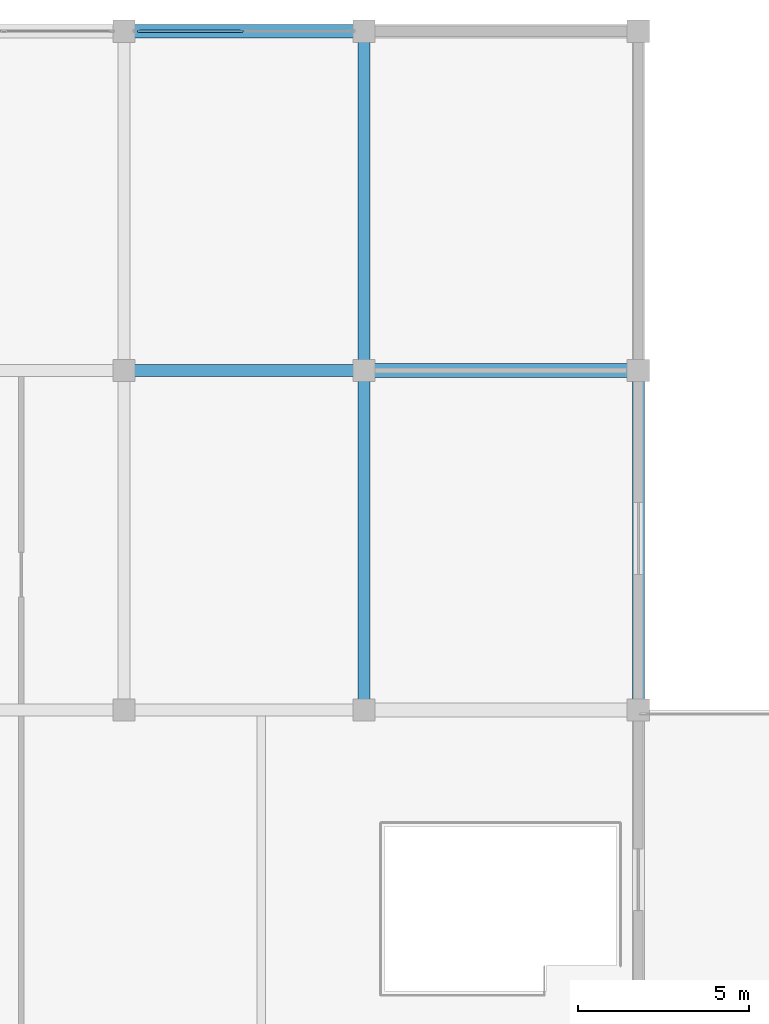
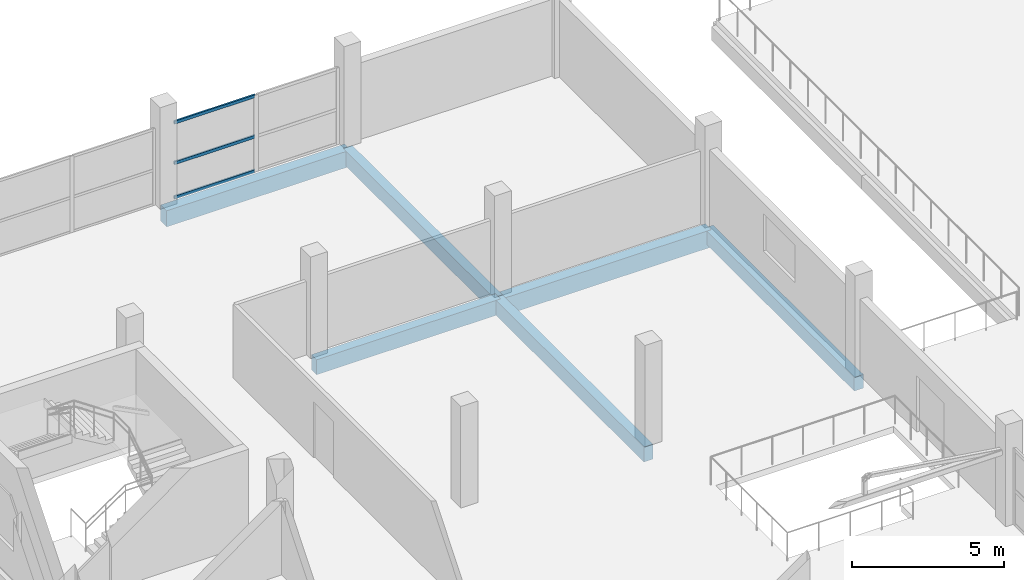
# One storey, part 38 of 53: 6 beams, 3 members, 1 element without a shape of its own.
"""IFC4 building model written with IfcOpenShell, lengths in metres."""

from ifc_helpers import new_model, si_unit, direction, frame, origin, origin_2d, place, context, subcontext, project, spatial, rectangle, hollow_rectangle, extrude, material, layer, layer_set, material_profile, profile_set, type_object, element, aggregate, save


model = new_model("IFC4")

# Units and contexts
model_context = context("Model", 3, precision=1e-05, world=origin(), true_north=direction((0.0, 1.0)))
body_context = subcontext(model_context, "Body", "Model", "MODEL_VIEW")
ifc_project = project(units=[si_unit("LENGTHUNIT", "METRE"), si_unit("AREAUNIT", "SQUARE_METRE"), si_unit("VOLUMEUNIT", "CUBIC_METRE"), si_unit("PLANEANGLEUNIT", "RADIAN"), si_unit("MASSUNIT", "GRAM", prefix="KILO")], contexts=[model_context])

# Site, building, storey
site_placement = place(None, origin())
site = spatial("IfcSite", under=ifc_project, at=site_placement, CompositionType="ELEMENT")
building_placement = place(site_placement, origin())
building = spatial("IfcBuilding", under=site, at=building_placement, Name="Sillaruma Civic Art Gallery", CompositionType="ELEMENT")
storey_placement = place(building_placement, frame((0.0, 0.0, 70.3798828125)))
storey = spatial("IfcBuildingStorey", under=building, at=storey_placement, Name="L14", CompositionType="ELEMENT", Elevation=70.3798828125)

# Beams
ifc_material_1 = material(Name="Concrete H35 (35 MPa)", Category="concrete")
ifc_material_profile_1 = material_profile(ifc_material_1, rectangle(XDim=0.35009765625, YDim=0.60009765625, at=origin_2d()), Name="RCB350x600")
ifc_profile_set_1 = profile_set([ifc_material_profile_1], Name="Concrete H35 (35 MPa)")
beam_type_1 = type_object("IfcBeamType", Name="BM-BEAM-RCB350x600", PredefinedType="BEAM", material=ifc_profile_set_1)
beam_1_placement = place(storey_placement, frame((77.0, 89.10009765625, -0.5498046875), z_axis=(1.0, 0.0, 0.0), x_axis=(0.0, 1.0, 0.0)))
element("IfcBeam", 1, at=beam_1_placement, inside=storey, type_object=beam_type_1, Name="Beam BM-06 (L13:10:H-J)", PredefinedType="BEAM", context=body_context, shape_type="SweptSolid", body=[
    extrude(rectangle(XDim=0.35009765625, YDim=0.60009765625, at=origin_2d()), origin(), (0.0, 0.0, 1.0), 7.0),
])
beam_2_placement = place(storey_placement, frame((84.0, 79.199951171875, -0.5498046875), z_axis=(0.0, 1.0, 0.0), x_axis=(-1.0, 0.0, 0.0)))
element("IfcBeam", 2, at=beam_2_placement, inside=storey, type_object=beam_type_1, Name="Beam BM-06 (L13:J:9-10)", PredefinedType="BEAM", context=body_context, shape_type="SweptSolid", body=[
    extrude(rectangle(XDim=0.35009765625, YDim=0.60009765625, at=origin_2d()), origin(), (0.0, 0.0, 1.0), 9.900146484375),
])
beam_3_placement = place(storey_placement, frame((84.0, 89.10009765625, -0.5498046875), z_axis=(0.0, 1.0, 0.0), x_axis=(-1.0, 0.0, 0.0)))
element("IfcBeam", 3, at=beam_3_placement, inside=storey, type_object=beam_type_1, Name="Beam BM-06 (L13:J:10-11)", PredefinedType="BEAM", context=body_context, shape_type="SweptSolid", body=[
    extrude(rectangle(XDim=0.35009765625, YDim=0.60009765625, at=origin_2d()), origin(), (0.0, 0.0, 1.0), 9.89990234375),
])
ifc_material_profile_2 = material_profile(ifc_material_1, rectangle(XDim=0.39990234375, YDim=0.699951171875, at=origin_2d()), Name="RCB400x700")
ifc_profile_set_2 = profile_set([ifc_material_profile_2], Name="Concrete H35 (35 MPa)")
beam_type_2 = type_object("IfcBeamType", Name="BM-BEAM-RCB400x700", PredefinedType="BEAM", material=ifc_profile_set_2)
beam_4_placement = place(storey_placement, frame((84.0, 89.10009765625, -0.599853515625), z_axis=(1.0, 0.0, 0.0), x_axis=(0.0, 1.0, 0.0)))
element("IfcBeam", 4, at=beam_4_placement, inside=storey, type_object=beam_type_2, Name="Beam BM-04 (L13:10:J-K)", PredefinedType="BEAM", context=body_context, shape_type="SweptSolid", body=[
    extrude(rectangle(XDim=0.39990234375, YDim=0.699951171875, at=origin_2d()), origin(), (0.0, 0.0, 1.0), 8.0),
])
ifc_material_profile_3 = material_profile(ifc_material_1, rectangle(XDim=0.35009765625, YDim=0.550048828125, at=origin_2d()), Name="RCB350x550")
ifc_profile_set_3 = profile_set([ifc_material_profile_3], Name="Concrete H35 (35 MPa)")
beam_type_3 = type_object("IfcBeamType", Name="BM-SPANDREL-RCB350x550", PredefinedType="SPANDREL", material=ifc_profile_set_3)
beam_5_placement = place(storey_placement, frame((92.0, 79.199951171875, -0.52490234375), z_axis=(0.0, 1.0, 0.0), x_axis=(-1.0, 0.0, 0.0)))
element("IfcBeam", 5, at=beam_5_placement, inside=storey, type_object=beam_type_3, Name="Beam BS-04 (L13:K:9-10)", PredefinedType="SPANDREL", context=body_context, shape_type="SweptSolid", body=[
    extrude(rectangle(XDim=0.35009765625, YDim=0.550048828125, at=origin_2d()), origin(), (0.0, 0.0, 1.0), 9.900146484375),
])
ifc_material_profile_4 = material_profile(ifc_material_1, rectangle(XDim=0.39990234375, YDim=0.64990234375, at=origin_2d()), Name="RCB400x650")
ifc_profile_set_4 = profile_set([ifc_material_profile_4], Name="Concrete H35 (35 MPa)")
beam_type_4 = type_object("IfcBeamType", Name="BM-SPANDREL-RCB400x650", PredefinedType="SPANDREL", material=ifc_profile_set_4)
beam_6_placement = place(storey_placement, frame((77.0, 99.0, -0.574951171875), z_axis=(1.0, 0.0, 0.0), x_axis=(0.0, 1.0, 0.0)))
element("IfcBeam", 6, at=beam_6_placement, inside=storey, type_object=beam_type_4, Name="Beam BS-02 (L13:11:H-J)", PredefinedType="SPANDREL", context=body_context, shape_type="SweptSolid", body=[
    extrude(rectangle(XDim=0.39990234375, YDim=0.64990234375, at=origin_2d()), origin(), (0.0, 0.0, 1.0), 7.0),
])

# Curtain wall, members
ifc_material_2 = material(Name="Thermally Broken Extruded Aluminium 6063-T6", Category="aluminium")
ifc_layer = layer(ifc_material_2, 0.179931640625, Name="Thermally Broken Extruded Aluminium 6063-T6")
ifc_layer_set = layer_set([ifc_layer], Name="Thermally Broken Extruded Aluminium 6063-T6")
curtain_wall_type = type_object("IfcCurtainWallType", Name="CW-UNI-109", PredefinedType="NOTDEFINED", material=ifc_layer_set)
curtain_wall_placement = place(storey_placement, origin())
curtain_wall = element("IfcCurtainWall", 7, at=curtain_wall_placement, inside=storey, type_object=curtain_wall_type, Name="Unitised Curtain Wall CW-109 (CW-L14-WBN-3)", PredefinedType="NOTDEFINED")
ifc_material_profile_5 = material_profile(ifc_material_2, hollow_rectangle(XDim=0.06494140625, YDim=0.1201171875, WallThickness=0.00341796875, at=origin_2d()), Name="CWT65x120")
ifc_profile_set_5 = profile_set([ifc_material_profile_5], Name="Thermally Broken Extruded Aluminium 6063-T6")
member_type = type_object("IfcMemberType", Name="MEM-TRN-CWT65x120", PredefinedType="USERDEFINED", material=ifc_profile_set_5)
member_1_placement = place(storey_placement, frame((77.39501953125, 99.0, 0.03271484375), z_axis=(1.0, 0.0, 0.0), x_axis=(0.0, 1.0, 0.0)))
member_1 = element("IfcMember", 8, at=member_1_placement, type_object=member_type, Name="CW-109 transom 1.1", ObjectType="TRANSOM", PredefinedType="USERDEFINED", context=body_context, shape_type="SweptSolid", body=[
    extrude(hollow_rectangle(XDim=0.06494140625, YDim=0.1201171875, WallThickness=0.00341796875, at=origin_2d()), origin(), (0.0, 0.0, 1.0), 3.070068359375),
])
member_2_placement = place(storey_placement, frame((77.39501953125, 99.0, 1.4169921875), z_axis=(1.0, 0.0, 0.0), x_axis=(0.0, 1.0, 0.0)))
member_2 = element("IfcMember", 9, at=member_2_placement, type_object=member_type, Name="CW-109 transom 1.2", ObjectType="TRANSOM", PredefinedType="USERDEFINED", context=body_context, shape_type="SweptSolid", body=[
    extrude(hollow_rectangle(XDim=0.06494140625, YDim=0.1201171875, WallThickness=0.00341796875, at=origin_2d()), origin(), (0.0, 0.0, 1.0), 3.070068359375),
])
member_3_placement = place(storey_placement, frame((77.39501953125, 99.0, 3.047607421875), z_axis=(1.0, 0.0, 0.0), x_axis=(0.0, 1.0, 0.0)))
member_3 = element("IfcMember", 10, at=member_3_placement, type_object=member_type, Name="CW-109 transom 1.3", ObjectType="TRANSOM", PredefinedType="USERDEFINED", context=body_context, shape_type="SweptSolid", body=[
    extrude(hollow_rectangle(XDim=0.06494140625, YDim=0.1201171875, WallThickness=0.00341796875, at=origin_2d()), origin(), (0.0, 0.0, 1.0), 3.070068359375),
])
aggregate(curtain_wall, [member_1, member_2, member_3])

save(model, "model.ifc")
